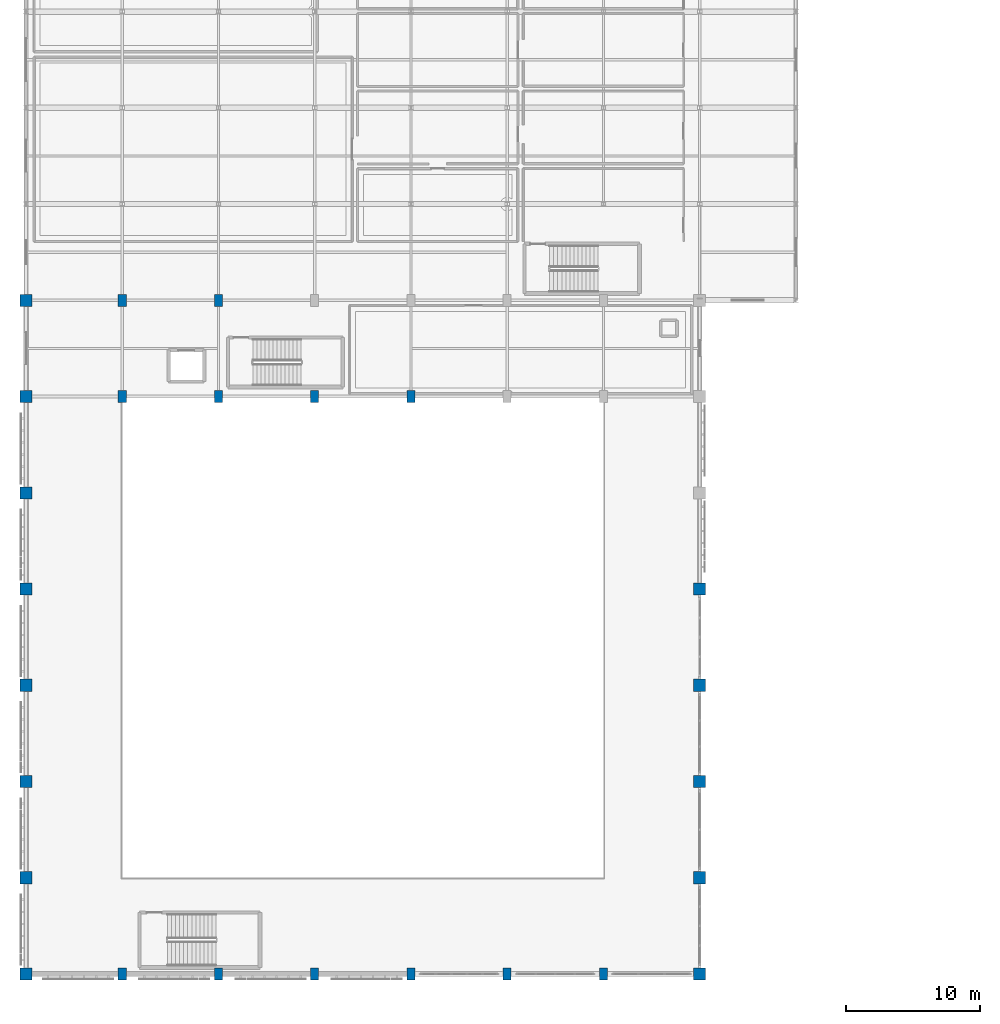
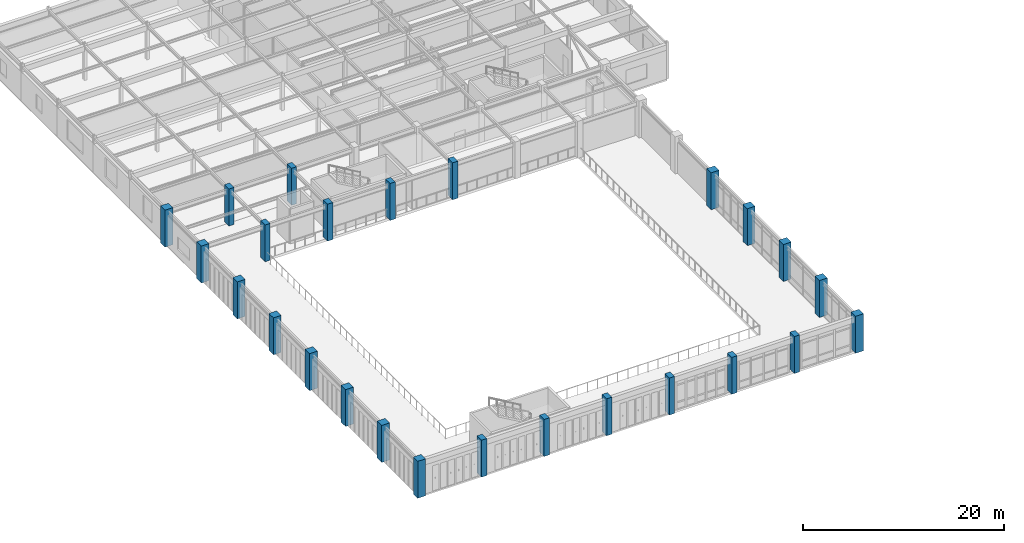
# One storey, part 1 of 106: 25 columns.
"""IFC4 building model written with IfcOpenShell, lengths in metres."""

from ifc_helpers import new_model, si_unit, direction, frame, origin, origin_2d, place, context, subcontext, project, spatial, rectangle, extrude, material, material_profile, profile_set, type_object, element, save


model = new_model("IFC4")

# Units and contexts
model_context = context("Model", 3, precision=1e-05, world=origin(), true_north=direction((0.0, 1.0)))
body_context = subcontext(model_context, "Body", "Model", "MODEL_VIEW")
ifc_project = project(units=[si_unit("LENGTHUNIT", "METRE"), si_unit("AREAUNIT", "SQUARE_METRE"), si_unit("VOLUMEUNIT", "CUBIC_METRE"), si_unit("PLANEANGLEUNIT", "RADIAN"), si_unit("MASSUNIT", "GRAM", prefix="KILO")], contexts=[model_context])

# Site, building, storey
site_placement = place(None, origin())
site = spatial("IfcSite", under=ifc_project, at=site_placement, CompositionType="ELEMENT")
building_placement = place(site_placement, origin())
building = spatial("IfcBuilding", under=site, at=building_placement, Name="Carrowvane Square Congress Hotel", CompositionType="ELEMENT")
storey_placement = place(building_placement, frame((0.0, 0.0, 10.5)))
storey = spatial("IfcBuildingStorey", under=building, at=storey_placement, Name="L02", CompositionType="ELEMENT", Elevation=10.5)

# Columns
ifc_material_1 = material(Name="Concrete C40/50", Category="concrete")
ifc_material_profile_1 = material_profile(ifc_material_1, rectangle(XDim=0.60009765625, YDim=0.89990234375, at=origin_2d()), Name="RC 600x900")
ifc_profile_set_1 = profile_set([ifc_material_profile_1], Name="Concrete C40/50")
column_type_1 = type_object("IfcColumnType", Name="COL-RC-600x900", PredefinedType="COLUMN", material=ifc_profile_set_1)
for number, where, z_axis, x_axis, name in (
    (1, (18.800048828125, 5.39990234375, 0.0), (0.0, 0.0, 1.0), (1.0, 0.0, 0.0), "L02 column 2/A"),
    (2, (18.800048828125, 48.60009765625, 0.0), (0.0, 0.0, 1.0), (1.0, 0.0, 0.0), "L02 column 2/G"),
    (3, (18.800048828125, 55.800048828125, 0.0), (0.0, 0.0, 1.0), (1.0, 0.0, 0.0), "L02 column 2/H"),
    (4, (26.0, 5.39990234375, 0.0), (0.0, 0.0, 1.0), (1.0, 0.0, 0.0), "L02 column 3/A"),
    (5, (26.0, 48.60009765625, 0.0), (0.0, 0.0, 1.0), (1.0, 0.0, 0.0), "L02 column 3/G"),
    (6, (26.0, 55.800048828125, 0.0), (0.0, 0.0, 1.0), (1.0, 0.0, 0.0), "L02 column 3/H"),
    (7, (33.199951171875, 5.39990234375, 0.0), (0.0, 0.0, 1.0), (1.0, 0.0, 0.0), "L02 column 4/A"),
    (8, (33.199951171875, 48.60009765625, 0.0), (0.0, 0.0, 1.0), (1.0, 0.0, 0.0), "L02 column 4/G"),
    (9, (40.39990234375, 5.39990234375, 0.0), (0.0, 0.0, 1.0), (1.0, 0.0, 0.0), "L02 column 5/A"),
    (10, (40.39990234375, 48.60009765625, 0.0), (0.0, 0.0, 1.0), (1.0, 0.0, 0.0), "L02 column 5/G"),
    (11, (47.60009765625, 5.39990234375, 0.0), (0.0, 0.0, 1.0), (1.0, 0.0, 0.0), "L02 column 6/A"),
    (12, (54.800048828125, 5.39990234375, 0.0), (0.0, 0.0, 1.0), (1.0, 0.0, 0.0), "L02 column 7/A"),
):
    element("IfcColumn", number, at=place(storey_placement, frame(where, z_axis=z_axis, x_axis=x_axis)), inside=storey, type_object=column_type_1, Name=name, PredefinedType="COLUMN", context=body_context, shape_type="SweptSolid", body=[
        extrude(rectangle(XDim=0.60009765625, YDim=0.89990234375, at=origin_2d()), origin(), (0.0, 0.0, 1.0), 4.5),
    ])
ifc_material_2 = material(Name="Concrete C40/50", Category="concrete")
ifc_material_profile_2 = material_profile(ifc_material_2, rectangle(XDim=0.89990234375, YDim=0.89990234375, at=origin_2d()), Name="RC 900x900")
ifc_profile_set_2 = profile_set([ifc_material_profile_2], Name="Concrete C40/50")
column_type_2 = type_object("IfcColumnType", Name="MCOL-RC-900", PredefinedType="COLUMN", material=ifc_profile_set_2)
for number, where, z_axis, x_axis, name in (
    (13, (11.60009765625, 5.39990234375, 0.0), (0.0, 0.0, 1.0), (1.0, 0.0, 0.0), "L02 column 1/A"),
    (14, (11.60009765625, 12.60009765625, 0.0), (0.0, 0.0, 1.0), (1.0, 0.0, 0.0), "L02 column 1/B"),
    (15, (11.60009765625, 19.800048828125, 0.0), (0.0, 0.0, 1.0), (1.0, 0.0, 0.0), "L02 column 1/C"),
    (16, (11.60009765625, 27.0, 0.0), (0.0, 0.0, 1.0), (1.0, 0.0, 0.0), "L02 column 1/D"),
    (17, (11.60009765625, 34.199951171875, 0.0), (0.0, 0.0, 1.0), (1.0, 0.0, 0.0), "L02 column 1/E"),
    (18, (11.60009765625, 41.39990234375, 0.0), (0.0, 0.0, 1.0), (1.0, 0.0, 0.0), "L02 column 1/F"),
    (19, (11.60009765625, 48.60009765625, 0.0), (0.0, 0.0, 1.0), (1.0, 0.0, 0.0), "L02 column 1/G"),
    (20, (11.60009765625, 55.800048828125, 0.0), (0.0, 0.0, 1.0), (1.0, 0.0, 0.0), "L02 column 1/H"),
    (21, (62.0, 5.39990234375, 0.0), (0.0, 0.0, 1.0), (1.0, 0.0, 0.0), "L02 column 8/A"),
    (22, (62.0, 12.60009765625, 0.0), (0.0, 0.0, 1.0), (1.0, 0.0, 0.0), "L02 column 8/B"),
    (23, (62.0, 19.800048828125, 0.0), (0.0, 0.0, 1.0), (1.0, 0.0, 0.0), "L02 column 8/C"),
    (24, (62.0, 27.0, 0.0), (0.0, 0.0, 1.0), (1.0, 0.0, 0.0), "L02 column 8/D"),
    (25, (62.0, 34.199951171875, 0.0), (0.0, 0.0, 1.0), (1.0, 0.0, 0.0), "L02 column 8/E"),
):
    element("IfcColumn", number, at=place(storey_placement, frame(where, z_axis=z_axis, x_axis=x_axis)), inside=storey, type_object=column_type_2, Name=name, PredefinedType="COLUMN", context=body_context, shape_type="SweptSolid", body=[
        extrude(rectangle(XDim=0.89990234375, YDim=0.89990234375, at=origin_2d()), origin(), (0.0, 0.0, 1.0), 4.5),
    ])

save(model, "model.ifc")
